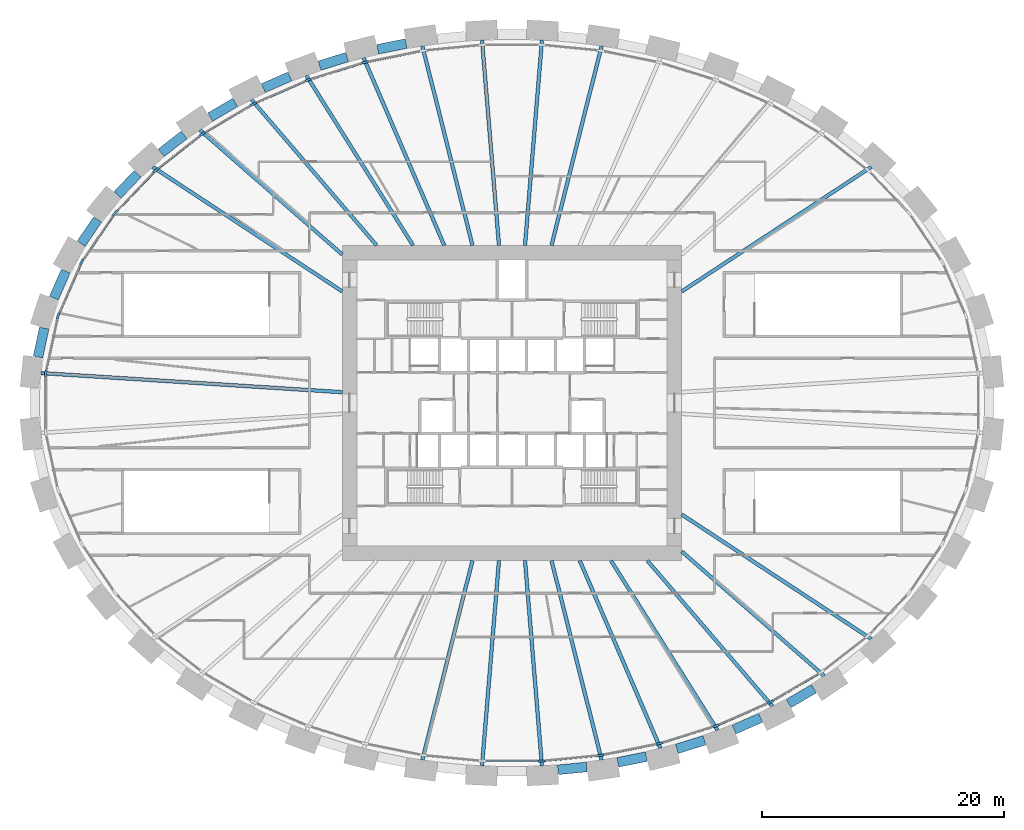
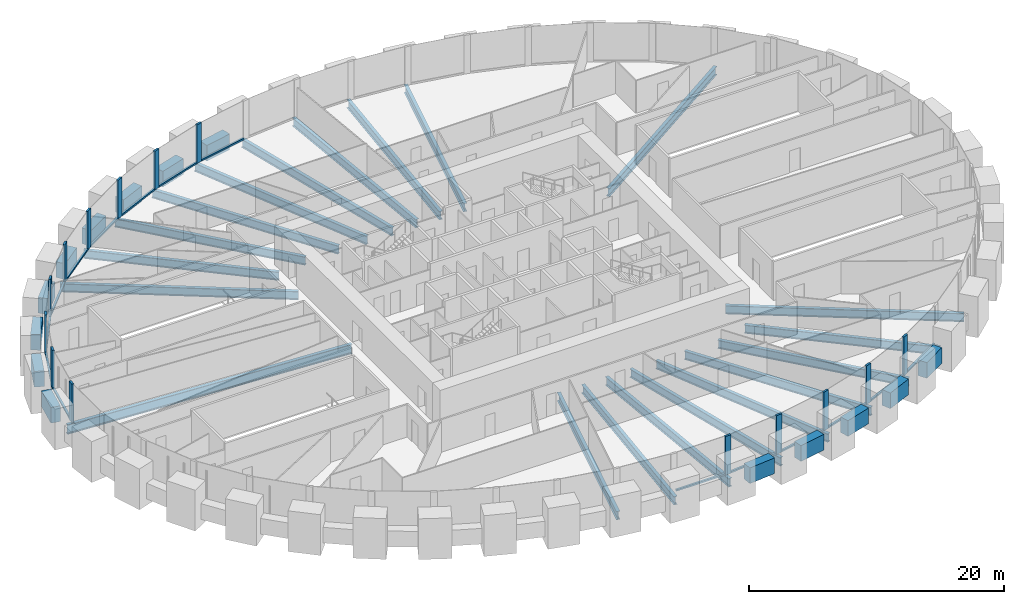
# One storey, part 2 of 12: 34 beams, 29 members, 1 element without a shape of its own.
"""IFC4 building model written with IfcOpenShell, lengths in metres."""

from ifc_helpers import new_model, si_unit, direction, frame, origin, origin_2d, place, context, subcontext, project, spatial, rectangle, i_section, extrude, source, transform, mapped, material, material_profile, profile_set, type_object, element, aggregate, save


model = new_model("IFC4")

# Units and contexts
model_context = context("Model", 3, precision=1e-05, world=origin(), true_north=direction((0.0, 1.0)))
body_context = subcontext(model_context, "Body", "Model", "MODEL_VIEW")
ifc_project = project(units=[si_unit("LENGTHUNIT", "METRE"), si_unit("AREAUNIT", "SQUARE_METRE"), si_unit("VOLUMEUNIT", "CUBIC_METRE"), si_unit("PLANEANGLEUNIT", "RADIAN"), si_unit("MASSUNIT", "GRAM", prefix="KILO")], contexts=[model_context])

# Site, building, storey
site_placement = place(None, origin())
site = spatial("IfcSite", under=ifc_project, at=site_placement, CompositionType="ELEMENT")
building_placement = place(site_placement, origin())
building = spatial("IfcBuilding", under=site, at=building_placement, Name="Embergate Tower", CompositionType="ELEMENT")
storey_placement = place(building_placement, frame((0.0, 0.0, 38.0)))
storey = spatial("IfcBuildingStorey", under=building, at=storey_placement, Name="L05", CompositionType="ELEMENT", Elevation=38.0)

# Beams
ifc_material_1 = material(Name="Concrete C70", Category="concrete")
ifc_material_profile_1 = material_profile(ifc_material_1, rectangle(XDim=0.800048828125, YDim=1.5, at=origin_2d()), Name="RC 800x1500")
ifc_profile_set_1 = profile_set([ifc_material_profile_1], Name="Concrete C70")
beam_type_1 = type_object("IfcBeamType", Name="Spandrel beam RC 800x1500 C70", PredefinedType="BEAM", material=ifc_profile_set_1)
shared_shape_1 = source(origin(), body_context, "Body", "SweptSolid", [
    extrude(rectangle(XDim=0.800048828125, YDim=1.5, at=origin_2d()), origin(), (0.0, 0.0, 1.0), 2.431396484375),
])
beam_1_placement = place(storey_placement, frame((-38.591064453125, 6.178955078125, 0.0), z_axis=(-0.210557552213, -0.977581463207, 0.0), x_axis=(0.977581463207, -0.210557552213, 0.0)))
element("IfcBeam", 1, at=beam_1_placement, inside=storey, type_object=beam_type_1, Name="SPN-L05-20", PredefinedType="BEAM", context=body_context, shape_type="MappedRepresentation", body=[
    mapped(shared_shape_1, transform((0.0, 0.0, 0.0))),
])
shared_shape_2 = source(origin(), body_context, "Body", "SweptSolid", [
    extrude(rectangle(XDim=0.800048828125, YDim=1.5, at=origin_2d()), origin(), (0.0, 0.0, 1.0), 2.42724609375),
])
beam_2_placement = place(storey_placement, frame((-36.81591796875, 10.8759765625, 0.0), z_axis=(-0.401710329843, -0.915766788488, 0.0), x_axis=(0.915766788488, -0.401710329843, 0.0)))
element("IfcBeam", 2, at=beam_2_placement, inside=storey, type_object=beam_type_1, Name="SPN-L05-19", PredefinedType="BEAM", context=body_context, shape_type="MappedRepresentation", body=[
    mapped(shared_shape_2, transform((0.0, 0.0, 0.0))),
])
shared_shape_3 = source(origin(), body_context, "Body", "SweptSolid", [
    extrude(rectangle(XDim=0.800048828125, YDim=1.5, at=origin_2d()), origin(), (0.0, 0.0, 1.0), 2.418701171875),
])
beam_3_placement = place(storey_placement, frame((-34.179931640625, 15.14111328125, 0.0), z_axis=(-0.562340391575, -0.82690584954, 0.0), x_axis=(0.82690584954, -0.562340391575, 0.0)))
element("IfcBeam", 3, at=beam_3_placement, inside=storey, type_object=beam_type_1, Name="SPN-L05-18", PredefinedType="BEAM", context=body_context, shape_type="MappedRepresentation", body=[
    mapped(shared_shape_3, transform((0.0, 0.0, 0.0))),
])
shared_shape_4 = source(origin(), body_context, "Body", "SweptSolid", [
    extrude(rectangle(XDim=0.800048828125, YDim=1.5, at=origin_2d()), origin(), (0.0, 0.0, 1.0), 2.410400390625),
])
beam_4_placement = place(storey_placement, frame((-30.883056640625, 18.907958984375, 0.0), z_axis=(-0.68988529803, -0.723918694027, 0.0), x_axis=(0.723918694027, -0.68988529803, 0.0)))
element("IfcBeam", 4, at=beam_4_placement, inside=storey, type_object=beam_type_1, Name="SPN-L05-17", PredefinedType="BEAM", context=body_context, shape_type="MappedRepresentation", body=[
    mapped(shared_shape_4, transform((0.0, 0.0, 0.0))),
])
shared_shape_5 = source(origin(), body_context, "Body", "SweptSolid", [
    extrude(rectangle(XDim=0.800048828125, YDim=1.5, at=origin_2d()), origin(), (0.0, 0.0, 1.0), 2.40234375),
])
beam_5_placement = place(storey_placement, frame((-27.048095703125, 22.115966796875, 0.0), z_axis=(-0.788327805862, -0.615255451423, 0.0), x_axis=(0.615255451423, -0.788327805862, 0.0)))
element("IfcBeam", 5, at=beam_5_placement, inside=storey, type_object=beam_type_1, Name="SPN-L05-16", PredefinedType="BEAM", context=body_context, shape_type="MappedRepresentation", body=[
    mapped(shared_shape_5, transform((0.0, 0.0, 0.0))),
])
shared_shape_6 = source(origin(), body_context, "Body", "SweptSolid", [
    extrude(rectangle(XDim=0.800048828125, YDim=1.5, at=origin_2d()), origin(), (0.0, 0.0, 1.0), 2.397705078125),
])
for number, where, z_axis, x_axis, name in (
    (6, (-22.8310546875, 24.79296875, 0.0), (-0.86206768602, -0.506793157728, 0.0), (0.506793157728, -0.86206768602, 0.0), "SPN-L05-15"),
    (7, (22.8310546875, -24.79296875, 0.0), (0.86206768602, 0.506793157728, 0.0), (-0.506793157728, 0.86206768602, 0.0), "SPN-L05-37"),
):
    element("IfcBeam", number, at=place(storey_placement, frame(where, z_axis=z_axis, x_axis=x_axis)), inside=storey, type_object=beam_type_1, Name=name, PredefinedType="BEAM", context=body_context, shape_type="MappedRepresentation", body=[
        mapped(shared_shape_6, transform((0.0, 0.0, 0.0))),
    ])
shared_shape_7 = source(origin(), body_context, "Body", "SweptSolid", [
    extrude(rectangle(XDim=0.800048828125, YDim=1.5, at=origin_2d()), origin(), (0.0, 0.0, 1.0), 2.394775390625),
])
for number, where, z_axis, x_axis, name in (
    (8, (-18.321044921875, 26.93505859375, 0.0), (-0.916133934694, -0.40087231596, 0.0), (0.40087231596, -0.916133934694, 0.0), "SPN-L05-14"),
    (9, (18.321044921875, -26.93505859375, 0.0), (0.916133934694, 0.40087231596, 0.0), (-0.40087231596, 0.916133934694, 0.0), "SPN-L05-36"),
):
    element("IfcBeam", number, at=place(storey_placement, frame(where, z_axis=z_axis, x_axis=x_axis)), inside=storey, type_object=beam_type_1, Name=name, PredefinedType="BEAM", context=body_context, shape_type="MappedRepresentation", body=[
        mapped(shared_shape_7, transform((0.0, 0.0, 0.0))),
    ])
shared_shape_8 = source(origin(), body_context, "Body", "SweptSolid", [
    extrude(rectangle(XDim=0.800048828125, YDim=1.5, at=origin_2d()), origin(), (0.0, 0.0, 1.0), 2.388916015625),
])
for number, where, z_axis, x_axis, name in (
    (10, (-13.596923828125, 28.534912109375, 0.0), (-0.954819405725, -0.297186645815, 0.0), (0.297186645815, -0.954819405725, 0.0), "SPN-L05-13"),
    (11, (13.596923828125, -28.534912109375, 0.0), (0.954819405725, 0.297186645815, 0.0), (-0.297186645815, 0.954819405725, 0.0), "SPN-L05-35"),
):
    element("IfcBeam", number, at=place(storey_placement, frame(where, z_axis=z_axis, x_axis=x_axis)), inside=storey, type_object=beam_type_1, Name=name, PredefinedType="BEAM", context=body_context, shape_type="MappedRepresentation", body=[
        mapped(shared_shape_8, transform((0.0, 0.0, 0.0))),
    ])
shared_shape_9 = source(origin(), body_context, "Body", "SweptSolid", [
    extrude(rectangle(XDim=0.800048828125, YDim=1.5, at=origin_2d()), origin(), (0.0, 0.0, 1.0), 2.38818359375),
])
for number, where, z_axis, x_axis, name in (
    (12, (-8.736083984375, 29.64697265625, 0.0), (-0.980529530549, -0.196371687676, 0.0), (0.196371687676, -0.980529530549, 0.0), "SPN-L05-12"),
    (13, (8.736083984375, -29.64697265625, 0.0), (0.980529530549, 0.196371687676, 0.0), (-0.196371687676, 0.980529530549, 0.0), "SPN-L05-34"),
):
    element("IfcBeam", number, at=place(storey_placement, frame(where, z_axis=z_axis, x_axis=x_axis)), inside=storey, type_object=beam_type_1, Name=name, PredefinedType="BEAM", context=body_context, shape_type="MappedRepresentation", body=[
        mapped(shared_shape_9, transform((0.0, 0.0, 0.0))),
    ])
shared_shape_10 = source(origin(), body_context, "Body", "SweptSolid", [
    extrude(rectangle(XDim=0.800048828125, YDim=1.5, at=origin_2d()), origin(), (0.0, 0.0, 1.0), 2.386474609375),
])
beam_6_placement = place(storey_placement, frame((3.7900390625, -30.263916015625, 0.0), z_axis=(0.995225797629, 0.097599240434, 0.0), x_axis=(-0.097599240434, 0.995225797629, 0.0)))
element("IfcBeam", 14, at=beam_6_placement, inside=storey, type_object=beam_type_1, Name="SPN-L05-33", PredefinedType="BEAM", context=body_context, shape_type="MappedRepresentation", body=[
    mapped(shared_shape_10, transform((0.0, 0.0, 0.0))),
])
ifc_material_2 = material(Name="Steel Q355B", Category="steel")
ifc_material_profile_2 = material_profile(ifc_material_2, i_section(OverallWidth=0.300048828125, OverallDepth=0.89990234375, WebThickness=0.01611328125, FlangeThickness=0.028076171875, FilletRadius=0.028076171875, at=origin_2d()), Name="HN 900x300x16x28")
ifc_profile_set_2 = profile_set([ifc_material_profile_2], Name="Steel Q355 grade B")
beam_type_2 = type_object("IfcBeamType", Name="Radial girder HN 900x300x16x28", PredefinedType="BEAM", material=ifc_profile_set_2)
shared_shape_11 = source(origin(), body_context, "Body", "SweptSolid", [
    extrude(i_section(OverallWidth=0.300048828125, OverallDepth=0.89990234375, WebThickness=0.01611328125, FlangeThickness=0.028076171875, FilletRadius=0.028076171875, at=origin_2d()), origin(), (0.0, 0.0, 1.0), 24.907958984375),
])
beam_7_placement = place(storey_placement, frame((-38.85791015625, 2.468994140625, -0.64990234375), z_axis=(0.997985884947, -0.063436373209, 0.0), x_axis=(0.063436373209, 0.997985884947, 0.0)))
element("IfcBeam", 15, at=beam_7_placement, inside=storey, type_object=beam_type_2, Name="GIR-L05-21", PredefinedType="BEAM", context=body_context, shape_type="MappedRepresentation", body=[
    mapped(shared_shape_11, transform((0.0, 0.0, 0.0))),
])
ifc_material_profile_3 = material_profile(ifc_material_2, i_section(OverallWidth=0.300048828125, OverallDepth=0.800048828125, WebThickness=0.013916015625, FlangeThickness=0.02587890625, FilletRadius=0.028076171875, at=origin_2d()), Name="HN 800x300x14x26")
ifc_profile_set_3 = profile_set([ifc_material_profile_3], Name="Steel Q355 grade B")
beam_type_3 = type_object("IfcBeamType", Name="Radial girder HN 800x300x14x26", PredefinedType="BEAM", material=ifc_profile_set_3)
shared_shape_12 = source(origin(), body_context, "Body", "SweptSolid", [
    extrude(i_section(OverallWidth=0.300048828125, OverallDepth=0.800048828125, WebThickness=0.013916015625, FlangeThickness=0.02587890625, FilletRadius=0.028076171875, at=origin_2d()), origin(), (0.0, 0.0, 1.0), 18.72314453125),
])
for number, where, z_axis, x_axis, name in (
    (16, (29.64794921875, 19.47900390625, -0.60009765625), (-0.835752839517, -0.549105810605, 0.0), (0.549105810605, -0.835752839517, 0.0), "GIR-L05-04"),
    (17, (-29.64794921875, 19.47900390625, -0.60009765625), (0.835752839517, -0.549105810605, 0.0), (0.549105810605, 0.835752839517, 0.0), "GIR-L05-17"),
    (18, (29.64794921875, -19.47900390625, -0.60009765625), (-0.835752839517, 0.549105810605, 0.0), (-0.549105810605, -0.835752839517, 0.0), "GIR-L05-39"),
):
    element("IfcBeam", number, at=place(storey_placement, frame(where, z_axis=z_axis, x_axis=x_axis)), inside=storey, type_object=beam_type_3, Name=name, PredefinedType="BEAM", context=body_context, shape_type="MappedRepresentation", body=[
        mapped(shared_shape_12, transform((0.0, 0.0, 0.0))),
    ])
shared_shape_13 = source(origin(), body_context, "Body", "SweptSolid", [
    extrude(i_section(OverallWidth=0.300048828125, OverallDepth=0.800048828125, WebThickness=0.013916015625, FlangeThickness=0.02587890625, FilletRadius=0.028076171875, at=origin_2d()), origin(), (0.0, 0.0, 1.0), 15.611083984375),
])
for number, where, z_axis, x_axis, name in (
    (19, (-25.751953125, 22.51904296875, -0.60009765625), (0.752793660755, -0.658256564211, 0.0), (0.658256564211, 0.752793660755, 0.0), "GIR-L05-16"),
    (20, (25.751953125, -22.51904296875, -0.60009765625), (-0.752793660755, 0.658256564211, 0.0), (-0.658256564211, -0.752793660755, 0.0), "GIR-L05-38"),
):
    element("IfcBeam", number, at=place(storey_placement, frame(where, z_axis=z_axis, x_axis=x_axis)), inside=storey, type_object=beam_type_3, Name=name, PredefinedType="BEAM", context=body_context, shape_type="MappedRepresentation", body=[
        mapped(shared_shape_13, transform((0.0, 0.0, 0.0))),
    ])
shared_shape_14 = source(origin(), body_context, "Body", "SweptSolid", [
    extrude(i_section(OverallWidth=0.300048828125, OverallDepth=0.800048828125, WebThickness=0.013916015625, FlangeThickness=0.02587890625, FilletRadius=0.028076171875, at=origin_2d()), origin(), (0.0, 0.0, 1.0), 15.8505859375),
])
for number, where, z_axis, x_axis, name in (
    (21, (-21.490966796875, 25.02490234375, -0.60009765625), (0.651512825192, -0.758637620086, 0.0), (0.758637620086, 0.651512825192, 0.0), "GIR-L05-15"),
    (22, (21.490966796875, -25.02490234375, -0.60009765625), (-0.651512825192, 0.758637620086, 0.0), (-0.758637620086, -0.651512825192, 0.0), "GIR-L05-37"),
):
    element("IfcBeam", number, at=place(storey_placement, frame(where, z_axis=z_axis, x_axis=x_axis)), inside=storey, type_object=beam_type_3, Name=name, PredefinedType="BEAM", context=body_context, shape_type="MappedRepresentation", body=[
        mapped(shared_shape_14, transform((0.0, 0.0, 0.0))),
    ])
shared_shape_15 = source(origin(), body_context, "Body", "SweptSolid", [
    extrude(i_section(OverallWidth=0.300048828125, OverallDepth=0.800048828125, WebThickness=0.013916015625, FlangeThickness=0.02587890625, FilletRadius=0.028076171875, at=origin_2d()), origin(), (0.0, 0.0, 1.0), 16.5390625),
])
for number, where, z_axis, x_axis, name in (
    (23, (-16.9599609375, 27.006103515625, -0.60009765625), (0.53182746927, -0.846852728005, 0.0), (0.846852728005, 0.53182746927, 0.0), "GIR-L05-14"),
    (24, (16.9599609375, -27.006103515625, -0.60009765625), (-0.53182746927, 0.846852728005, 0.0), (-0.846852728005, -0.53182746927, 0.0), "GIR-L05-36"),
):
    element("IfcBeam", number, at=place(storey_placement, frame(where, z_axis=z_axis, x_axis=x_axis)), inside=storey, type_object=beam_type_3, Name=name, PredefinedType="BEAM", context=body_context, shape_type="MappedRepresentation", body=[
        mapped(shared_shape_15, transform((0.0, 0.0, 0.0))),
    ])
shared_shape_16 = source(origin(), body_context, "Body", "SweptSolid", [
    extrude(i_section(OverallWidth=0.300048828125, OverallDepth=0.800048828125, WebThickness=0.013916015625, FlangeThickness=0.02587890625, FilletRadius=0.028076171875, at=origin_2d()), origin(), (0.0, 0.0, 1.0), 16.845458984375),
])
for number, where, z_axis, x_axis, name in (
    (25, (-12.240966796875, 28.47607421875, -0.60009765625), (0.394945799239, -0.91870442236, 0.0), (0.91870442236, 0.394945799239, 0.0), "GIR-L05-13"),
    (26, (12.240966796875, -28.47607421875, -0.60009765625), (-0.394945799239, 0.91870442236, 0.0), (-0.91870442236, -0.394945799239, 0.0), "GIR-L05-35"),
):
    element("IfcBeam", number, at=place(storey_placement, frame(where, z_axis=z_axis, x_axis=x_axis)), inside=storey, type_object=beam_type_3, Name=name, PredefinedType="BEAM", context=body_context, shape_type="MappedRepresentation", body=[
        mapped(shared_shape_16, transform((0.0, 0.0, 0.0))),
    ])
shared_shape_17 = source(origin(), body_context, "Body", "SweptSolid", [
    extrude(i_section(OverallWidth=0.300048828125, OverallDepth=0.800048828125, WebThickness=0.013916015625, FlangeThickness=0.02587890625, FilletRadius=0.028076171875, at=origin_2d()), origin(), (0.0, 0.0, 1.0), 16.95849609375),
])
for number, where, z_axis, x_axis, name in (
    (27, (7.39208984375, 29.447998046875, -0.60009765625), (-0.243487368516, -0.969904068129, 0.0), (0.969904068129, -0.243487368516, 0.0), "GIR-L05-09"),
    (28, (-7.39208984375, 29.447998046875, -0.60009765625), (0.243487368516, -0.969904068129, 0.0), (0.969904068129, 0.243487368516, 0.0), "GIR-L05-12"),
    (29, (-7.39208984375, -29.447998046875, -0.60009765625), (0.243487368516, 0.969904068129, 0.0), (-0.969904068129, 0.243487368516, 0.0), "GIR-L05-31"),
    (30, (7.39208984375, -29.447998046875, -0.60009765625), (-0.243487368516, 0.969904068129, 0.0), (-0.969904068129, -0.243487368516, 0.0), "GIR-L05-34"),
):
    element("IfcBeam", number, at=place(storey_placement, frame(where, z_axis=z_axis, x_axis=x_axis)), inside=storey, type_object=beam_type_3, Name=name, PredefinedType="BEAM", context=body_context, shape_type="MappedRepresentation", body=[
        mapped(shared_shape_17, transform((0.0, 0.0, 0.0))),
    ])
shared_shape_18 = source(origin(), body_context, "Body", "SweptSolid", [
    extrude(i_section(OverallWidth=0.300048828125, OverallDepth=0.800048828125, WebThickness=0.013916015625, FlangeThickness=0.02587890625, FilletRadius=0.028076171875, at=origin_2d()), origin(), (0.0, 0.0, 1.0), 16.989501953125),
])
for number, where, z_axis, x_axis, name in (
    (31, (2.471923828125, 29.931884765625, -0.60009765625), (-0.082283146951, -0.996608992398, 0.0), (0.996608992398, -0.082283146951, 0.0), "GIR-L05-10"),
    (32, (-2.471923828125, 29.931884765625, -0.60009765625), (0.082283146951, -0.996608992398, 0.0), (0.996608992398, 0.082283146951, 0.0), "GIR-L05-11"),
    (33, (-2.471923828125, -29.931884765625, -0.60009765625), (0.082283146951, 0.996608992398, 0.0), (-0.996608992398, 0.082283146951, 0.0), "GIR-L05-32"),
    (34, (2.471923828125, -29.931884765625, -0.60009765625), (-0.082283146951, 0.996608992398, 0.0), (-0.996608992398, -0.082283146951, 0.0), "GIR-L05-33"),
):
    element("IfcBeam", number, at=place(storey_placement, frame(where, z_axis=z_axis, x_axis=x_axis)), inside=storey, type_object=beam_type_3, Name=name, PredefinedType="BEAM", context=body_context, shape_type="MappedRepresentation", body=[
        mapped(shared_shape_18, transform((0.0, 0.0, 0.0))),
    ])

# Curtain wall, members
ifc_material_3 = material(Name="Aluminium and glass", Category="aluminium")
curtain_wall_type = type_object("IfcCurtainWallType", Name="Recessed office glazing", PredefinedType="NOTDEFINED", material=ifc_material_3)
curtain_wall_placement = place(storey_placement, origin())
curtain_wall = element("IfcCurtainWall", 35, at=curtain_wall_placement, inside=storey, type_object=curtain_wall_type, Name="Recessed office glazing ring", ObjectType="RECESSED OFFICE GLAZING", PredefinedType="USERDEFINED")
ifc_material_4 = material(Name="Aluminium, thermally broken", Category="aluminium")
ifc_material_profile_4 = material_profile(ifc_material_4, rectangle(XDim=0.179931640625, YDim=0.52001953125, at=origin_2d()), Name="AL 520x180")
ifc_profile_set_4 = profile_set([ifc_material_profile_4], Name="Aluminium, thermally broken")
member_type_1 = type_object("IfcMemberType", Name="Office mullion", PredefinedType="MULLION", material=ifc_profile_set_4)
shared_shape_19 = source(origin(), body_context, "Body", "SweptSolid", [
    extrude(rectangle(XDim=0.179931640625, YDim=0.52001953125, at=origin_2d()), origin(), (0.0, 0.0, 1.0), 3.699951171875),
])
member_1_placement = place(storey_placement, frame((-12.144287109375, 28.097900390625, 0.0), z_axis=(0.0, 0.0, 1.0), x_axis=(0.247310190257, -0.968936360034, 0.0)))
member_1 = element("IfcMember", 36, at=member_1_placement, type_object=member_type_1, Name="CW mullion 14", PredefinedType="MULLION", context=body_context, shape_type="MappedRepresentation", body=[
    mapped(shared_shape_19, transform((0.0, 0.0, 0.0))),
])
member_2_placement = place(storey_placement, frame((-16.824951171875, 26.64013671875, 0.0), z_axis=(0.0, 0.0, 1.0), x_axis=(0.349501047589, -0.936935973124, 0.0)))
member_2 = element("IfcMember", 37, at=member_2_placement, type_object=member_type_1, Name="CW mullion 15", PredefinedType="MULLION", context=body_context, shape_type="MappedRepresentation", body=[
    mapped(shared_shape_19, transform((0.0, 0.0, 0.0))),
])
member_3_placement = place(storey_placement, frame((-21.3134765625, 24.677490234375, 0.0), z_axis=(0.0, 0.0, 1.0), x_axis=(0.454509825889, -0.890741723605, 0.0)))
member_3 = element("IfcMember", 38, at=member_3_placement, type_object=member_type_1, Name="CW mullion 16", PredefinedType="MULLION", context=body_context, shape_type="MappedRepresentation", body=[
    mapped(shared_shape_19, transform((0.0, 0.0, 0.0))),
])
member_4_placement = place(storey_placement, frame((-25.53271484375, 22.19677734375, 0.0), z_axis=(0.0, 0.0, 1.0), x_axis=(0.562216175174, -0.826990309721, 0.0)))
member_4 = element("IfcMember", 39, at=member_4_placement, type_object=member_type_1, Name="CW mullion 17", PredefinedType="MULLION", context=body_context, shape_type="MappedRepresentation", body=[
    mapped(shared_shape_19, transform((0.0, 0.0, 0.0))),
])
member_5_placement = place(storey_placement, frame((-29.386474609375, 19.189208984375, 0.0), z_axis=(0.0, 0.0, 1.0), x_axis=(0.671226533956, -0.741252278319, 0.0)))
member_5 = element("IfcMember", 40, at=member_5_placement, type_object=member_type_1, Name="CW mullion 18", PredefinedType="MULLION", context=body_context, shape_type="MappedRepresentation", body=[
    mapped(shared_shape_19, transform((0.0, 0.0, 0.0))),
])
member_6_placement = place(storey_placement, frame((-32.7548828125, 15.656982421875, 0.0), z_axis=(0.0, 0.0, 1.0), x_axis=(0.777873661157, -0.62842069291, 0.0)))
member_6 = element("IfcMember", 41, at=member_6_placement, type_object=member_type_1, Name="CW mullion 19", PredefinedType="MULLION", context=body_context, shape_type="MappedRepresentation", body=[
    mapped(shared_shape_19, transform((0.0, 0.0, 0.0))),
])
member_7_placement = place(storey_placement, frame((-35.494873046875, 11.628173828125, 0.0), z_axis=(0.0, 0.0, 1.0), x_axis=(0.875002740779, -0.484117964581, 0.0)))
member_7 = element("IfcMember", 42, at=member_7_placement, type_object=member_type_1, Name="CW mullion 20", PredefinedType="MULLION", context=body_context, shape_type="MappedRepresentation", body=[
    mapped(shared_shape_19, transform((0.0, 0.0, 0.0))),
])
member_8_placement = place(storey_placement, frame((-37.4482421875, 7.17431640625, 0.0), z_axis=(0.0, 0.0, 1.0), x_axis=(0.951498871907, -0.307652233471, 0.0)))
member_8 = element("IfcMember", 43, at=member_8_placement, type_object=member_type_1, Name="CW mullion 21", PredefinedType="MULLION", context=body_context, shape_type="MappedRepresentation", body=[
    mapped(shared_shape_19, transform((0.0, 0.0, 0.0))),
])
member_9_placement = place(storey_placement, frame((-38.469970703125, 2.4267578125, 0.0), z_axis=(0.0, 0.0, 1.0), x_axis=(0.994384954736, -0.105823257345, 0.0)))
member_9 = element("IfcMember", 44, at=member_9_placement, type_object=member_type_1, Name="CW mullion 22", PredefinedType="MULLION", context=body_context, shape_type="MappedRepresentation", body=[
    mapped(shared_shape_19, transform((0.0, 0.0, 0.0))),
])
member_10_placement = place(storey_placement, frame((2.453125, -29.5419921875, 0.0), z_axis=(0.0, 0.0, 1.0), x_axis=(-0.048971796621, 0.998800161762, 0.0)))
member_10 = element("IfcMember", 45, at=member_10_placement, type_object=member_type_1, Name="CW mullion 34", PredefinedType="MULLION", context=body_context, shape_type="MappedRepresentation", body=[
    mapped(shared_shape_19, transform((0.0, 0.0, 0.0))),
])
member_11_placement = place(storey_placement, frame((7.33544921875, -29.062255859375, 0.0), z_axis=(0.0, 0.0, 1.0), x_axis=(-0.147410656556, 0.989075375456, 0.0)))
member_11 = element("IfcMember", 46, at=member_11_placement, type_object=member_type_1, Name="CW mullion 35", PredefinedType="MULLION", context=body_context, shape_type="MappedRepresentation", body=[
    mapped(shared_shape_19, transform((0.0, 0.0, 0.0))),
])
member_12_placement = place(storey_placement, frame((12.144287109375, -28.097900390625, 0.0), z_axis=(0.0, 0.0, 1.0), x_axis=(-0.247310190257, 0.968936360034, 0.0)))
member_12 = element("IfcMember", 47, at=member_12_placement, type_object=member_type_1, Name="CW mullion 36", PredefinedType="MULLION", context=body_context, shape_type="MappedRepresentation", body=[
    mapped(shared_shape_19, transform((0.0, 0.0, 0.0))),
])
member_13_placement = place(storey_placement, frame((16.824951171875, -26.64013671875, 0.0), z_axis=(0.0, 0.0, 1.0), x_axis=(-0.349501047589, 0.936935973124, 0.0)))
member_13 = element("IfcMember", 48, at=member_13_placement, type_object=member_type_1, Name="CW mullion 37", PredefinedType="MULLION", context=body_context, shape_type="MappedRepresentation", body=[
    mapped(shared_shape_19, transform((0.0, 0.0, 0.0))),
])
member_14_placement = place(storey_placement, frame((21.3134765625, -24.677490234375, 0.0), z_axis=(0.0, 0.0, 1.0), x_axis=(-0.454509825889, 0.890741723605, 0.0)))
member_14 = element("IfcMember", 49, at=member_14_placement, type_object=member_type_1, Name="CW mullion 38", PredefinedType="MULLION", context=body_context, shape_type="MappedRepresentation", body=[
    mapped(shared_shape_19, transform((0.0, 0.0, 0.0))),
])
ifc_material_profile_5 = material_profile(ifc_material_4, rectangle(XDim=0.179931640625, YDim=0.14990234375, at=origin_2d()), Name="AL 150x180")
ifc_profile_set_5 = profile_set([ifc_material_profile_5], Name="Aluminium, thermally broken")
member_type_2 = type_object("IfcMemberType", Name="Office sill transom", PredefinedType="USERDEFINED", material=ifc_profile_set_5)
shared_shape_20 = source(origin(), body_context, "Body", "SweptSolid", [
    extrude(rectangle(XDim=0.179931640625, YDim=0.14990234375, at=origin_2d()), origin(), (0.0, 0.0, 1.0), 4.33642578125),
])
member_15_placement = place(storey_placement, frame((-37.5029296875, 6.920166015625, 0.074951171875), z_axis=(-0.210397968538, -0.977615821699, 0.0), x_axis=(0.977615821699, -0.210397968538, 0.0)))
member_15 = element("IfcMember", 50, at=member_15_placement, type_object=member_type_2, Name="CW transom 21.1", ObjectType="TRANSOM", PredefinedType="USERDEFINED", context=body_context, shape_type="MappedRepresentation", body=[
    mapped(shared_shape_20, transform((0.0, 0.0, 0.0))),
])
shared_shape_21 = source(origin(), body_context, "Body", "SweptSolid", [
    extrude(rectangle(XDim=0.179931640625, YDim=0.14990234375, at=origin_2d()), origin(), (0.0, 0.0, 1.0), 4.34326171875),
])
member_16_placement = place(storey_placement, frame((-35.599365234375, 11.389892578125, 0.074951171875), z_axis=(-0.401632547459, -0.915800904576, 0.0), x_axis=(0.915800904576, -0.401632547459, 0.0)))
member_16 = element("IfcMember", 51, at=member_16_placement, type_object=member_type_2, Name="CW transom 20.1", ObjectType="TRANSOM", PredefinedType="USERDEFINED", context=body_context, shape_type="MappedRepresentation", body=[
    mapped(shared_shape_21, transform((0.0, 0.0, 0.0))),
])
shared_shape_22 = source(origin(), body_context, "Body", "SweptSolid", [
    extrude(rectangle(XDim=0.179931640625, YDim=0.14990234375, at=origin_2d()), origin(), (0.0, 0.0, 1.0), 4.352294921875),
])
member_17_placement = place(storey_placement, frame((-32.901123046875, 15.44189453125, 0.074951171875), z_axis=(-0.562352981855, -0.826897287333, 0.0), x_axis=(0.826897287333, -0.562352981855, 0.0)))
member_17 = element("IfcMember", 52, at=member_17_placement, type_object=member_type_2, Name="CW transom 19.1", ObjectType="TRANSOM", PredefinedType="USERDEFINED", context=body_context, shape_type="MappedRepresentation", body=[
    mapped(shared_shape_22, transform((0.0, 0.0, 0.0))),
])
shared_shape_23 = source(origin(), body_context, "Body", "SweptSolid", [
    extrude(rectangle(XDim=0.179931640625, YDim=0.14990234375, at=origin_2d()), origin(), (0.0, 0.0, 1.0), 4.361083984375),
])
member_18_placement = place(storey_placement, frame((-29.56591796875, 19.0009765625, 0.074951171875), z_axis=(-0.690141477818, -0.723674471427, 0.0), x_axis=(0.723674471427, -0.690141477818, 0.0)))
member_18 = element("IfcMember", 53, at=member_18_placement, type_object=member_type_2, Name="CW transom 18.1", ObjectType="TRANSOM", PredefinedType="USERDEFINED", context=body_context, shape_type="MappedRepresentation", body=[
    mapped(shared_shape_23, transform((0.0, 0.0, 0.0))),
])
shared_shape_24 = source(origin(), body_context, "Body", "SweptSolid", [
    extrude(rectangle(XDim=0.179931640625, YDim=0.14990234375, at=origin_2d()), origin(), (0.0, 0.0, 1.0), 4.368408203125),
])
member_19_placement = place(storey_placement, frame((-25.73779296875, 22.036865234375, 0.074951171875), z_axis=(-0.788309833008, -0.615278479375, 0.0), x_axis=(0.615278479375, -0.788309833008, 0.0)))
member_19 = element("IfcMember", 54, at=member_19_placement, type_object=member_type_2, Name="CW transom 17.1", ObjectType="TRANSOM", PredefinedType="USERDEFINED", context=body_context, shape_type="MappedRepresentation", body=[
    mapped(shared_shape_24, transform((0.0, 0.0, 0.0))),
])
shared_shape_25 = source(origin(), body_context, "Body", "SweptSolid", [
    extrude(rectangle(XDim=0.179931640625, YDim=0.14990234375, at=origin_2d()), origin(), (0.0, 0.0, 1.0), 4.37451171875),
])
member_20_placement = place(storey_placement, frame((-21.53759765625, 24.545654296875, 0.074951171875), z_axis=(-0.862053273507, -0.506817672971, 0.0), x_axis=(0.506817672971, -0.862053273507, 0.0)))
member_20 = element("IfcMember", 55, at=member_20_placement, type_object=member_type_2, Name="CW transom 16.1", ObjectType="TRANSOM", PredefinedType="USERDEFINED", context=body_context, shape_type="MappedRepresentation", body=[
    mapped(shared_shape_25, transform((0.0, 0.0, 0.0))),
])
member_21_placement = place(storey_placement, frame((21.53759765625, -24.545654296875, 0.074951171875), z_axis=(0.862053273507, 0.506817672971, 0.0), x_axis=(-0.506817672971, 0.862053273507, 0.0)))
member_21 = element("IfcMember", 56, at=member_21_placement, type_object=member_type_2, Name="CW transom 38.1", ObjectType="TRANSOM", PredefinedType="USERDEFINED", context=body_context, shape_type="MappedRepresentation", body=[
    mapped(shared_shape_25, transform((0.0, 0.0, 0.0))),
])
shared_shape_26 = source(origin(), body_context, "Body", "SweptSolid", [
    extrude(rectangle(XDim=0.179931640625, YDim=0.14990234375, at=origin_2d()), origin(), (0.0, 0.0, 1.0), 4.37890625),
])
member_22_placement = place(storey_placement, frame((-17.06298828125, 26.535888671875, 0.074951171875), z_axis=(-0.916236650028, -0.400637493434, 0.0), x_axis=(0.400637493434, -0.916236650028, 0.0)))
member_22 = element("IfcMember", 57, at=member_22_placement, type_object=member_type_2, Name="CW transom 15.1", ObjectType="TRANSOM", PredefinedType="USERDEFINED", context=body_context, shape_type="MappedRepresentation", body=[
    mapped(shared_shape_26, transform((0.0, 0.0, 0.0))),
])
member_23_placement = place(storey_placement, frame((17.06298828125, -26.535888671875, 0.074951171875), z_axis=(0.916236650028, 0.400637493434, 0.0), x_axis=(-0.400637493434, 0.916236650028, 0.0)))
member_23 = element("IfcMember", 58, at=member_23_placement, type_object=member_type_2, Name="CW transom 37.1", ObjectType="TRANSOM", PredefinedType="USERDEFINED", context=body_context, shape_type="MappedRepresentation", body=[
    mapped(shared_shape_26, transform((0.0, 0.0, 0.0))),
])
shared_shape_27 = source(origin(), body_context, "Body", "SweptSolid", [
    extrude(rectangle(XDim=0.179931640625, YDim=0.14990234375, at=origin_2d()), origin(), (0.0, 0.0, 1.0), 4.38232421875),
])
member_24_placement = place(storey_placement, frame((-12.392578125, 28.0205078125, 0.074951171875), z_axis=(-0.954759100468, -0.297380328994, 0.0), x_axis=(0.297380328994, -0.954759100468, 0.0)))
member_24 = element("IfcMember", 59, at=member_24_placement, type_object=member_type_2, Name="CW transom 14.1", ObjectType="TRANSOM", PredefinedType="USERDEFINED", context=body_context, shape_type="MappedRepresentation", body=[
    mapped(shared_shape_27, transform((0.0, 0.0, 0.0))),
])
member_25_placement = place(storey_placement, frame((12.392578125, -28.0205078125, 0.074951171875), z_axis=(0.954759100468, 0.297380328994, 0.0), x_axis=(-0.297380328994, 0.954759100468, 0.0)))
member_25 = element("IfcMember", 60, at=member_25_placement, type_object=member_type_2, Name="CW transom 36.1", ObjectType="TRANSOM", PredefinedType="USERDEFINED", context=body_context, shape_type="MappedRepresentation", body=[
    mapped(shared_shape_27, transform((0.0, 0.0, 0.0))),
])
shared_shape_28 = source(origin(), body_context, "Body", "SweptSolid", [
    extrude(rectangle(XDim=0.179931640625, YDim=0.14990234375, at=origin_2d()), origin(), (0.0, 0.0, 1.0), 4.384765625),
])
member_26_placement = place(storey_placement, frame((-7.59033203125, 29.010986328125, 0.074951171875), z_axis=(-0.980482039913, -0.196608670733, 0.0), x_axis=(0.196608670733, -0.980482039913, 0.0)))
member_26 = element("IfcMember", 61, at=member_26_placement, type_object=member_type_2, Name="CW transom 13.1", ObjectType="TRANSOM", PredefinedType="USERDEFINED", context=body_context, shape_type="MappedRepresentation", body=[
    mapped(shared_shape_28, transform((0.0, 0.0, 0.0))),
])
member_27_placement = place(storey_placement, frame((7.59033203125, -29.010986328125, 0.074951171875), z_axis=(0.980482039913, 0.196608670733, 0.0), x_axis=(-0.196608670733, 0.980482039913, 0.0)))
member_27 = element("IfcMember", 62, at=member_27_placement, type_object=member_type_2, Name="CW transom 35.1", ObjectType="TRANSOM", PredefinedType="USERDEFINED", context=body_context, shape_type="MappedRepresentation", body=[
    mapped(shared_shape_28, transform((0.0, 0.0, 0.0))),
])
shared_shape_29 = source(origin(), body_context, "Body", "SweptSolid", [
    extrude(rectangle(XDim=0.179931640625, YDim=0.14990234375, at=origin_2d()), origin(), (0.0, 0.0, 1.0), 4.3857421875),
])
member_28_placement = place(storey_placement, frame((2.7119140625, -29.5166015625, 0.074951171875), z_axis=(0.995205497416, 0.097806021868, 0.0), x_axis=(-0.097806021868, 0.995205497416, 0.0)))
member_28 = element("IfcMember", 63, at=member_28_placement, type_object=member_type_2, Name="CW transom 34.1", ObjectType="TRANSOM", PredefinedType="USERDEFINED", context=body_context, shape_type="MappedRepresentation", body=[
    mapped(shared_shape_29, transform((0.0, 0.0, 0.0))),
])
shared_shape_30 = source(origin(), body_context, "Body", "SweptSolid", [
    extrude(rectangle(XDim=0.179931640625, YDim=0.14990234375, at=origin_2d()), origin(), (0.0, 0.0, 1.0), 4.38623046875),
])
member_29_placement = place(storey_placement, frame((-2.193115234375, -29.5419921875, 0.074951171875), z_axis=(1.0, 0.0, 0.0), x_axis=(0.0, 1.0, 0.0)))
member_29 = element("IfcMember", 64, at=member_29_placement, type_object=member_type_2, Name="CW transom 33.1", ObjectType="TRANSOM", PredefinedType="USERDEFINED", context=body_context, shape_type="MappedRepresentation", body=[
    mapped(shared_shape_30, transform((0.0, 0.0, 0.0))),
])
aggregate(curtain_wall, [member_1, member_2, member_3, member_4, member_5, member_6, member_7, member_8, member_9, member_10, member_11, member_12, member_13, member_14, member_26, member_24, member_22, member_20, member_19, member_18, member_17, member_16, member_15, member_29, member_28, member_27, member_25, member_23, member_21])

save(model, "model.ifc")
